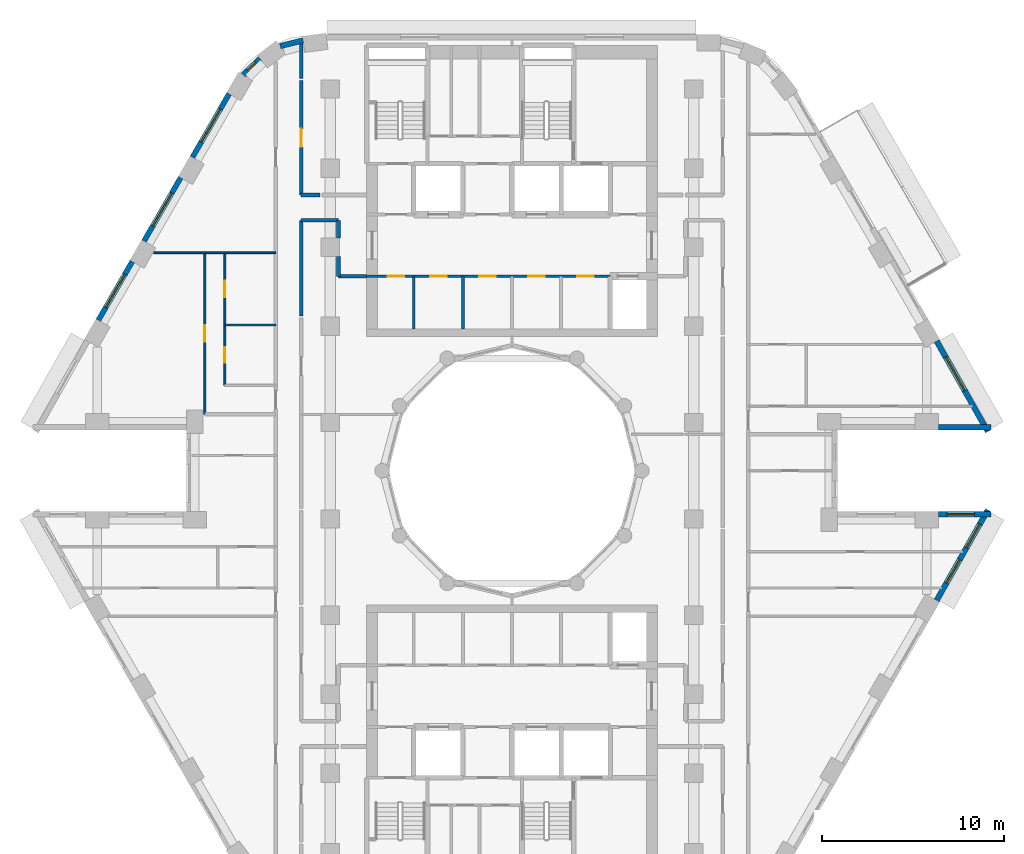
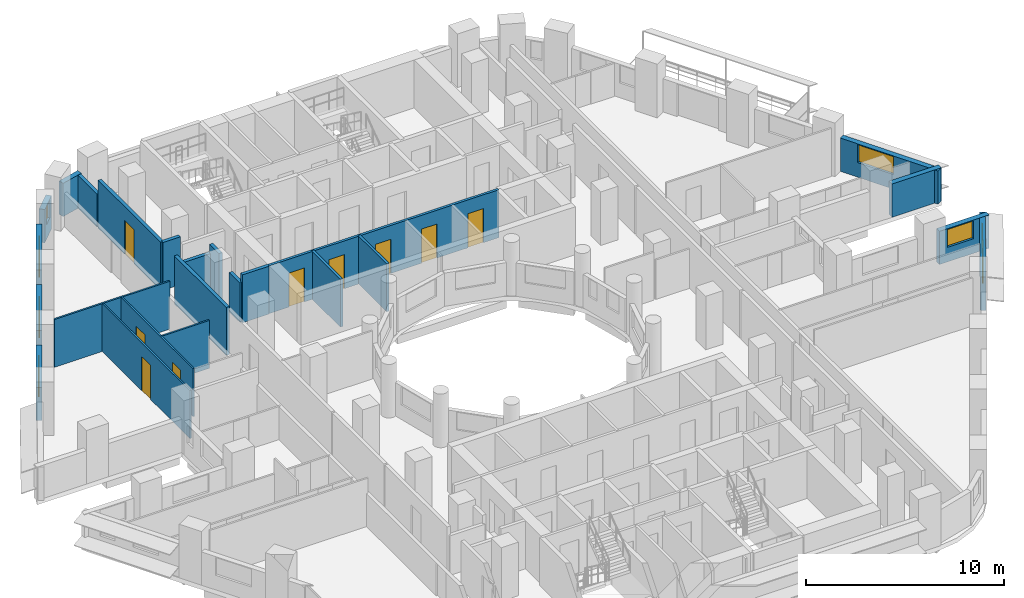
# One storey, part 7 of 14: 24 walls, 9 doors, 8 windows, 17 openings.
"""IFC4 building model written with IfcOpenShell, lengths in metres."""

from ifc_helpers import new_model, si_unit, direction, frame, frame_2d, origin, place, context, subcontext, project, spatial, rectangle, extrude, material, layer, layer_set, type_object, element, fill, save


model = new_model("IFC4")

# Units and contexts
model_context = context("Model", 3, precision=1e-05, world=origin(), true_north=direction((0.0, 1.0)))
body_context = subcontext(model_context, "Body", "Model", "MODEL_VIEW")
ifc_project = project(units=[si_unit("LENGTHUNIT", "METRE"), si_unit("AREAUNIT", "SQUARE_METRE"), si_unit("VOLUMEUNIT", "CUBIC_METRE"), si_unit("PLANEANGLEUNIT", "RADIAN"), si_unit("MASSUNIT", "GRAM", prefix="KILO")], contexts=[model_context])

# Site, building, storey
site_placement = place(None, origin())
site = spatial("IfcSite", under=ifc_project, at=site_placement, CompositionType="ELEMENT")
building_placement = place(site_placement, origin())
building = spatial("IfcBuilding", under=site, at=building_placement, Name="Nakaniwa Court", CompositionType="ELEMENT")
storey_placement = place(building_placement, frame((0.0, 0.0, 166.800048828125)))
storey = spatial("IfcBuildingStorey", under=building, at=storey_placement, Name="L44", CompositionType="ELEMENT", Elevation=166.800048828125)

# Walls
ifc_material_1 = material(Name="Acoustic double stud partition")
ifc_layer_1 = layer(ifc_material_1, 0.199951171875)
ifc_layer_set_1 = layer_set([ifc_layer_1], Name="Acoustic double stud partition")
wall_type_1 = type_object("IfcWallType", Name="Acoustic double stud partition 200", PredefinedType="PARTITIONING", material=ifc_layer_set_1)
wall_1_placement = place(storey_placement, frame((68.39990234375, 93.77490234375, 0.0), z_axis=(0.0, 0.0, 1.0), x_axis=(1.0, 0.0, 0.0)))
element("IfcWall", 1, at=wall_1_placement, inside=storey, type_object=wall_type_1, Name="Partition PW-094", PredefinedType="PARTITIONING", context=body_context, shape_type="SweptSolid", body=[
    extrude(rectangle(XDim=2.050048828125, YDim=0.199951171875, at=frame_2d((1.02490234375, 0.0))), origin(), (0.0, 0.0, 1.0), 2.429931640625),
])
wall_2_placement = place(storey_placement, frame((70.449951171875, 90.699951171875, 0.0), z_axis=(0.0, 0.0, 1.0), x_axis=(1.0, 0.0, 0.0)))
element("IfcWall", 2, at=wall_2_placement, inside=storey, type_object=wall_type_1, Name="Partition PW-096", PredefinedType="PARTITIONING", context=body_context, shape_type="SweptSolid", body=[
    extrude(rectangle(XDim=1.550048828125, YDim=0.199951171875, at=frame_2d((0.77490234375, 0.0))), origin(), (0.0, 0.0, 1.0), 2.949951171875),
])
wall_3_placement = place(storey_placement, frame((68.39990234375, 95.175048828125, 0.0), z_axis=(0.0, 0.0, 1.0), x_axis=(1.0, 0.0, 0.0)))
element("IfcWall", 3, at=wall_3_placement, inside=storey, type_object=wall_type_1, Name="Partition PW-098", PredefinedType="PARTITIONING", context=body_context, shape_type="SweptSolid", body=[
    extrude(rectangle(XDim=1.02294921875, YDim=0.199951171875, at=frame_2d((0.511474609375, 0.0))), origin(), (0.0, 0.0, 1.0), 2.949951171875),
])
wall_4_placement = place(storey_placement, frame((68.39990234375, 88.527099609375, 0.0), z_axis=(0.0, 0.0, 1.0), x_axis=(0.0, 1.0, 0.0)))
element("IfcWall", 4, at=wall_4_placement, inside=storey, type_object=wall_type_1, Name="Partition PW-107", PredefinedType="PARTITIONING", context=body_context, shape_type="SweptSolid", body=[
    extrude(rectangle(XDim=5.247802734375, YDim=0.199951171875, at=frame_2d((2.6240234375, 0.0))), origin(), (0.0, 0.0, 1.0), 2.949951171875),
])

# Wall, opening, door
wall_5_placement = place(storey_placement, frame((68.39990234375, 101.462890625, 0.0), z_axis=(0.0, 0.0, 1.0), x_axis=(0.0, -1.0, 0.0)))
wall_5 = element("IfcWall", 5, at=wall_5_placement, inside=storey, type_object=wall_type_1, Name="Partition PW-108", PredefinedType="PARTITIONING", context=body_context, shape_type="SweptSolid", body=[
    extrude(rectangle(XDim=6.287841796875, YDim=0.199951171875, at=frame_2d((3.14404296875, 0.0))), origin(), (0.0, 0.0, 1.0), 2.949951171875),
])
opening_1_placement = place(wall_5_placement, frame((2.64501953125, 0.0, 0.0)))
opening_1 = element("IfcOpeningElement", 6, at=opening_1_placement, cuts=wall_5, Name="Opening D-02-08", PredefinedType="OPENING", context=body_context, shape_type="SweptSolid", body=[
    extrude(rectangle(XDim=1.0, YDim=2.10009765625, at=frame_2d((0.5, 1.050048828125))), frame((0.0, 0.10986328125, 0.0), z_axis=(0.0, -1.0, 0.0), x_axis=(1.0, 0.0, 0.0)), (0.0, 0.0, 1.0), 0.219970703125),
])
ifc_material_2 = material(Name="Solid core timber door set, black veneer", Category="wood")
door_type_1 = type_object("IfcDoorType", Name="Internal door 1000", OperationType="NOTDEFINED", PredefinedType="DOOR", material=ifc_material_2)
door_1_placement = place(opening_1_placement, origin())
door_1 = element("IfcDoor", 7, at=door_1_placement, inside=storey, type_object=door_type_1, Name="Door D-02-08 L44-057", OperationType="SINGLE_SWING_RIGHT", OverallHeight=2.10009765625, OverallWidth=1.0, PredefinedType="DOOR", context=body_context, shape_type="SweptSolid", body=[
    extrude(rectangle(XDim=1.0, YDim=2.10009765625, at=frame_2d((0.5, 1.050048828125))), frame((0.0, 0.02490234375, 0.0), z_axis=(0.0, -1.0, 0.0), x_axis=(1.0, 0.0, 0.0)), (0.0, 0.0, 1.0), 0.050048828125),
])
fill(opening_1, door_1)

# Walls
wall_6_placement = place(storey_placement, frame((68.39990234375, 101.5771484375, 0.0), z_axis=(0.0, 0.0, 1.0), x_axis=(0.0, 1.0, 0.0)))
element("IfcWall", 8, at=wall_6_placement, inside=storey, type_object=wall_type_1, Name="Partition PW-109", PredefinedType="PARTITIONING", context=body_context, shape_type="SweptSolid", body=[
    extrude(rectangle(XDim=2.02197265625, YDim=0.199951171875, at=frame_2d((1.010986328125, 0.0))), origin(), (0.0, 0.0, 1.0), 2.030029296875),
])
wall_7_placement = place(storey_placement, frame((70.449951171875, 90.699951171875, 0.0), z_axis=(0.0, 0.0, 1.0), x_axis=(0.0, 1.0, 0.0)))
element("IfcWall", 9, at=wall_7_placement, inside=storey, type_object=wall_type_1, Name="Partition PW-113", PredefinedType="PARTITIONING", context=body_context, shape_type="SweptSolid", body=[
    extrude(rectangle(XDim=1.082763671875, YDim=0.199951171875, at=frame_2d((0.54150390625, 0.0))), origin(), (0.0, 0.0, 1.0), 2.429931640625),
])
wall_8_placement = place(storey_placement, frame((70.449951171875, 92.817138671875, 0.0), z_axis=(0.0, 0.0, 1.0), x_axis=(0.0, 1.0, 0.0)))
element("IfcWall", 10, at=wall_8_placement, inside=storey, type_object=wall_type_1, Name="Partition PW-114", PredefinedType="PARTITIONING", context=body_context, shape_type="SweptSolid", body=[
    extrude(rectangle(XDim=0.957763671875, YDim=0.199951171875, at=frame_2d((0.47900390625, 0.0))), origin(), (0.0, 0.0, 1.0), 2.949951171875),
])
ifc_material_3 = material(Name="Charcoal ceramic cladding")
ifc_layer_2 = layer(ifc_material_3, 0.02, Name="Ceramic cladding")
ifc_material_4 = material(Name="Ventilated air cavity")
ifc_layer_3 = layer(ifc_material_4, 0.04, ventilated=True, Name="Ventilated cavity")
ifc_material_5 = material(Name="Mineral wool insulation")
ifc_layer_4 = layer(ifc_material_5, 0.1, Name="Insulation")
ifc_material_6 = material(Name="Cement bonded sheathing board")
ifc_layer_5 = layer(ifc_material_6, 0.012, Name="Sheathing")
ifc_material_7 = material(Name="Cold-formed galvanised stud frame with mineral wool infill")
ifc_layer_6 = layer(ifc_material_7, 0.1, Name="Stud frame")
ifc_material_8 = material(Name="Fire-rated gypsum plasterboard lining")
ifc_layer_7 = layer(ifc_material_8, 0.028, Name="Lining")
ifc_layer_set_2 = layer_set([ifc_layer_2, ifc_layer_3, ifc_layer_4, ifc_layer_5, ifc_layer_6, ifc_layer_7], Name="Charcoal ceramic faced external wall system")
wall_type_2 = type_object("IfcWallType", Name="Black ceramic faced external wall 300", PredefinedType="SOLIDWALL", material=ifc_layer_set_2)
wall_9_placement = place(storey_placement, frame((103.468994140625, 82.39990234375, 0.0), z_axis=(0.0, 0.0, 1.0), x_axis=(1.0, 0.0, 0.0)))
element("IfcWall", 11, at=wall_9_placement, inside=storey, type_object=wall_type_2, Name="L44 external wall 01", PredefinedType="SOLIDWALL", context=body_context, shape_type="SweptSolid", body=[
    extrude(rectangle(XDim=2.8876953125, YDim=0.300048828125, at=frame_2d((1.44384765625, 0.0))), origin(), (0.0, 0.0, 1.0), 2.050048828125),
])

# Wall, opening, window
wall_10_placement = place(storey_placement, frame((106.18603515625, 82.1533203125, 0.0), z_axis=(0.0, 0.0, 1.0), x_axis=(-0.492498306264, 0.87031340236, 0.0)))
wall_10 = element("IfcWall", 12, at=wall_10_placement, inside=storey, type_object=wall_type_2, Name="L44 external wall 02", PredefinedType="SOLIDWALL", context=body_context, shape_type="SweptSolid", body=[
    extrude(rectangle(XDim=5.7265625, YDim=0.300048828125, at=frame_2d((2.86328125, 0.0))), origin(), (0.0, 0.0, 1.0), 2.050048828125),
])
opening_2_placement = place(wall_10_placement, frame((2.604248046875, 0.0, 0.89990234375)))
opening_2 = element("IfcOpeningElement", 13, at=opening_2_placement, cuts=wall_10, Name="Opening W7.01", PredefinedType="OPENING", context=body_context, shape_type="SweptSolid", body=[
    extrude(rectangle(XDim=2.10009765625, YDim=1.10009765625, at=frame_2d((1.050048828125, 0.550048828125))), frame((0.0, 0.159912109375, 0.0), z_axis=(0.0, -1.0, 0.0), x_axis=(1.0, 0.0, 0.0)), (0.0, 0.0, 1.0), 0.320068359375),
])
ifc_material_9 = material(Name="Black anodised aluminium frame with dark low-E laminated double glazing", Category="aluminium")
window_type_1 = type_object("IfcWindowType", Name="Dark glass window 2100x1100 sill 900", PartitioningType="SINGLE_PANEL", PredefinedType="WINDOW", material=ifc_material_9)
window_1_placement = place(opening_2_placement, origin())
window_1 = element("IfcWindow", 14, at=window_1_placement, inside=storey, type_object=window_type_1, Name="L44 habitable room window 02-1", OverallHeight=1.10009765625, OverallWidth=2.10009765625, PartitioningType="SINGLE_PANEL", PredefinedType="WINDOW", context=body_context, shape_type="SweptSolid", body=[
    extrude(rectangle(XDim=2.10009765625, YDim=1.10009765625, at=frame_2d((1.050048828125, 0.550048828125))), frame((0.0, 0.030029296875, 0.0), z_axis=(0.0, -1.0, 0.0), x_axis=(1.0, 0.0, 0.0)), (0.0, 0.0, 1.0), 0.06005859375),
])
fill(opening_2, window_1)

# Wall
wall_11_placement = place(storey_placement, frame((68.506103515625, 103.68310546875, 0.0), z_axis=(0.0, 0.0, 1.0), x_axis=(-0.96924493129, -0.246098076322, 0.0)))
element("IfcWall", 15, at=wall_11_placement, inside=storey, type_object=wall_type_2, Name="L44 external wall 09", PredefinedType="SOLIDWALL", context=body_context, shape_type="SweptSolid", body=[
    extrude(rectangle(XDim=1.305419921875, YDim=0.300048828125, at=frame_2d((0.65283203125, 0.0))), origin(), (0.0, 0.0, 1.0), 2.050048828125),
])

# Wall, opening, window
wall_12_placement = place(storey_placement, frame((66.12890625, 102.68798828125, 0.0), z_axis=(0.0, 0.0, 1.0), x_axis=(-0.70881270082, -0.705396735997, 0.0)))
wall_12 = element("IfcWall", 16, at=wall_12_placement, inside=storey, type_object=wall_type_2, Name="L44 external wall 10", PredefinedType="SOLIDWALL", context=body_context, shape_type="SweptSolid", body=[
    extrude(rectangle(XDim=1.286376953125, YDim=0.300048828125, at=frame_2d((0.64306640625, 0.0))), origin(), (0.0, 0.0, 1.0), 2.050048828125),
])
opening_3_placement = place(wall_12_placement, frame((0.3330078125, 0.0, 0.89990234375)))
opening_3 = element("IfcOpeningElement", 17, at=opening_3_placement, cuts=wall_12, Name="Opening W8.08", PredefinedType="OPENING", context=body_context, shape_type="SweptSolid", body=[
    extrude(rectangle(XDim=0.60009765625, YDim=1.10009765625, at=frame_2d((0.300048828125, 0.550048828125))), frame((0.0, 0.159912109375, 0.0), z_axis=(0.0, -1.0, 0.0), x_axis=(1.0, 0.0, 0.0)), (0.0, 0.0, 1.0), 0.320068359375),
])
window_type_2 = type_object("IfcWindowType", Name="Dark glass window 600x1100 sill 900", PartitioningType="SINGLE_PANEL", PredefinedType="WINDOW", material=ifc_material_9)
window_2_placement = place(opening_3_placement, origin())
window_2 = element("IfcWindow", 18, at=window_2_placement, inside=storey, type_object=window_type_2, Name="L44 habitable room window 10-0", OverallHeight=1.10009765625, OverallWidth=0.60009765625, PartitioningType="SINGLE_PANEL", PredefinedType="WINDOW", context=body_context, shape_type="SweptSolid", body=[
    extrude(rectangle(XDim=0.60009765625, YDim=1.10009765625, at=frame_2d((0.300048828125, 0.550048828125))), frame((0.0, 0.030029296875, 0.0), z_axis=(0.0, -1.0, 0.0), x_axis=(1.0, 0.0, 0.0)), (0.0, 0.0, 1.0), 0.06005859375),
])
fill(opening_3, window_2)

wall_13_placement = place(storey_placement, frame((64.434814453125, 100.739990234375, 0.0), z_axis=(0.0, 0.0, 1.0), x_axis=(-0.500031546601, -0.86600718958, 0.0)))
wall_13 = element("IfcWall", 19, at=wall_13_placement, inside=storey, type_object=wall_type_2, Name="L44 external wall 11", PredefinedType="SOLIDWALL", context=body_context, shape_type="SweptSolid", body=[
    extrude(rectangle(XDim=4.033935546875, YDim=0.300048828125, at=frame_2d((2.01708984375, 0.0))), origin(), (0.0, 0.0, 1.0), 2.050048828125),
])
opening_4_placement = place(wall_13_placement, frame((0.967041015625, 0.0, 0.89990234375)))
opening_4 = element("IfcOpeningElement", 20, at=opening_4_placement, cuts=wall_13, Name="Opening W7.09", PredefinedType="OPENING", context=body_context, shape_type="SweptSolid", body=[
    extrude(rectangle(XDim=2.10009765625, YDim=1.10009765625, at=frame_2d((1.050048828125, 0.550048828125))), frame((0.0, 0.159912109375, 0.0), z_axis=(0.0, -1.0, 0.0), x_axis=(1.0, 0.0, 0.0)), (0.0, 0.0, 1.0), 0.320068359375),
])
window_3_placement = place(opening_4_placement, origin())
window_3 = element("IfcWindow", 21, at=window_3_placement, inside=storey, type_object=window_type_1, Name="L44 habitable room window 11-0", OverallHeight=1.10009765625, OverallWidth=2.10009765625, PartitioningType="SINGLE_PANEL", PredefinedType="WINDOW", context=body_context, shape_type="SweptSolid", body=[
    extrude(rectangle(XDim=2.10009765625, YDim=1.10009765625, at=frame_2d((1.050048828125, 0.550048828125))), frame((0.0, 0.030029296875, 0.0), z_axis=(0.0, -1.0, 0.0), x_axis=(1.0, 0.0, 0.0)), (0.0, 0.0, 1.0), 0.06005859375),
])
fill(opening_4, window_3)

wall_14_placement = place(storey_placement, frame((61.771728515625, 96.127685546875, 0.0), z_axis=(0.0, 0.0, 1.0), x_axis=(-0.500031546601, -0.86600718958, 0.0)))
wall_14 = element("IfcWall", 22, at=wall_14_placement, inside=storey, type_object=wall_type_2, Name="L44 external wall 12", PredefinedType="SOLIDWALL", context=body_context, shape_type="SweptSolid", body=[
    extrude(rectangle(XDim=4.033935546875, YDim=0.300048828125, at=frame_2d((2.01708984375, 0.0))), origin(), (0.0, 0.0, 1.0), 2.050048828125),
])
opening_5_placement = place(wall_14_placement, frame((0.966796875, 0.0, 0.89990234375)))
opening_5 = element("IfcOpeningElement", 23, at=opening_5_placement, cuts=wall_14, Name="Opening W7.10", PredefinedType="OPENING", context=body_context, shape_type="SweptSolid", body=[
    extrude(rectangle(XDim=2.10009765625, YDim=1.10009765625, at=frame_2d((1.050048828125, 0.550048828125))), frame((0.0, 0.159912109375, 0.0), z_axis=(0.0, -1.0, 0.0), x_axis=(1.0, 0.0, 0.0)), (0.0, 0.0, 1.0), 0.320068359375),
])
window_4_placement = place(opening_5_placement, origin())
window_4 = element("IfcWindow", 24, at=window_4_placement, inside=storey, type_object=window_type_1, Name="L44 habitable room window 12-0", OverallHeight=1.10009765625, OverallWidth=2.10009765625, PartitioningType="SINGLE_PANEL", PredefinedType="WINDOW", context=body_context, shape_type="SweptSolid", body=[
    extrude(rectangle(XDim=2.10009765625, YDim=1.10009765625, at=frame_2d((1.050048828125, 0.550048828125))), frame((0.0, 0.030029296875, 0.0), z_axis=(0.0, -1.0, 0.0), x_axis=(1.0, 0.0, 0.0)), (0.0, 0.0, 1.0), 0.06005859375),
])
fill(opening_5, window_4)

wall_15_placement = place(storey_placement, frame((59.108642578125, 91.515380859375, 0.0), z_axis=(0.0, 0.0, 1.0), x_axis=(-0.499933594891, -0.866063739398, 0.0)))
wall_15 = element("IfcWall", 25, at=wall_15_placement, inside=storey, type_object=wall_type_2, Name="L44 external wall 13", PredefinedType="SOLIDWALL", context=body_context, shape_type="SweptSolid", body=[
    extrude(rectangle(XDim=3.73681640625, YDim=0.300048828125, at=frame_2d((1.868408203125, 0.0))), origin(), (0.0, 0.0, 1.0), 2.050048828125),
])
opening_6_placement = place(wall_15_placement, frame((0.818359375, 0.0, 0.89990234375)))
opening_6 = element("IfcOpeningElement", 26, at=opening_6_placement, cuts=wall_15, Name="Opening W7.11", PredefinedType="OPENING", context=body_context, shape_type="SweptSolid", body=[
    extrude(rectangle(XDim=2.10009765625, YDim=1.10009765625, at=frame_2d((1.050048828125, 0.550048828125))), frame((0.0, 0.159912109375, 0.0), z_axis=(0.0, -1.0, 0.0), x_axis=(1.0, 0.0, 0.0)), (0.0, 0.0, 1.0), 0.320068359375),
])
window_5_placement = place(opening_6_placement, origin())
window_5 = element("IfcWindow", 27, at=window_5_placement, inside=storey, type_object=window_type_1, Name="L44 living window 13-0", OverallHeight=1.10009765625, OverallWidth=2.10009765625, PartitioningType="SINGLE_PANEL", PredefinedType="WINDOW", context=body_context, shape_type="SweptSolid", body=[
    extrude(rectangle(XDim=2.10009765625, YDim=1.10009765625, at=frame_2d((1.050048828125, 0.550048828125))), frame((0.0, 0.030029296875, 0.0), z_axis=(0.0, -1.0, 0.0), x_axis=(1.0, 0.0, 0.0)), (0.0, 0.0, 1.0), 0.06005859375),
])
fill(opening_6, window_5)

# Wall, openings, windows
wall_16_placement = place(storey_placement, frame((103.36572265625, 72.86279296875, 0.0), z_axis=(0.0, 0.0, 1.0), x_axis=(0.492498306264, 0.87031340236, 0.0)))
wall_16 = element("IfcWall", 28, at=wall_16_placement, inside=storey, type_object=wall_type_2, Name="L44 external wall 32", PredefinedType="SOLIDWALL", context=body_context, shape_type="SweptSolid", body=[
    extrude(rectangle(XDim=5.7265625, YDim=0.300048828125, at=frame_2d((2.86328125, 0.0))), origin(), (0.0, 0.0, 1.0), 2.050048828125),
])
opening_7_placement = place(wall_16_placement, frame((1.093017578125, 0.0, 0.89990234375)))
opening_7 = element("IfcOpeningElement", 29, at=opening_7_placement, cuts=wall_16, Name="Opening W5.29", PredefinedType="OPENING", context=body_context, shape_type="SweptSolid", body=[
    extrude(rectangle(XDim=1.5, YDim=1.10009765625, at=frame_2d((0.75, 0.550048828125))), frame((0.0, 0.159912109375, 0.0), z_axis=(0.0, -1.0, 0.0), x_axis=(1.0, 0.0, 0.0)), (0.0, 0.0, 1.0), 0.320068359375),
])
opening_8_placement = place(wall_16_placement, frame((3.333740234375, 0.0, 0.89990234375)))
opening_8 = element("IfcOpeningElement", 30, at=opening_8_placement, cuts=wall_16, Name="Opening W5.30", PredefinedType="OPENING", context=body_context, shape_type="SweptSolid", body=[
    extrude(rectangle(XDim=1.5, YDim=1.10009765625, at=frame_2d((0.75, 0.550048828125))), frame((0.0, 0.159912109375, 0.0), z_axis=(0.0, -1.0, 0.0), x_axis=(1.0, 0.0, 0.0)), (0.0, 0.0, 1.0), 0.320068359375),
])
window_type_3 = type_object("IfcWindowType", Name="Dark glass window 1500x1100 sill 900", PartitioningType="SINGLE_PANEL", PredefinedType="WINDOW", material=ifc_material_9)
window_6_placement = place(opening_7_placement, origin())
window_6 = element("IfcWindow", 31, at=window_6_placement, inside=storey, type_object=window_type_3, Name="L44 habitable room window 32-1", OverallHeight=1.10009765625, OverallWidth=1.5, PartitioningType="SINGLE_PANEL", PredefinedType="WINDOW", context=body_context, shape_type="SweptSolid", body=[
    extrude(rectangle(XDim=1.5, YDim=1.10009765625, at=frame_2d((0.75, 0.550048828125))), frame((0.0, 0.030029296875, 0.0), z_axis=(0.0, -1.0, 0.0), x_axis=(1.0, 0.0, 0.0)), (0.0, 0.0, 1.0), 0.06005859375),
])
fill(opening_7, window_6)
window_7_placement = place(opening_8_placement, origin())
window_7 = element("IfcWindow", 32, at=window_7_placement, inside=storey, type_object=window_type_3, Name="L44 living window 32-2", OverallHeight=1.10009765625, OverallWidth=1.5, PartitioningType="SINGLE_PANEL", PredefinedType="WINDOW", context=body_context, shape_type="SweptSolid", body=[
    extrude(rectangle(XDim=1.5, YDim=1.10009765625, at=frame_2d((0.75, 0.550048828125))), frame((0.0, 0.030029296875, 0.0), z_axis=(0.0, -1.0, 0.0), x_axis=(1.0, 0.0, 0.0)), (0.0, 0.0, 1.0), 0.06005859375),
])
fill(opening_8, window_7)

# Wall, opening, window
wall_17_placement = place(storey_placement, frame((106.356689453125, 77.60009765625, 0.0), z_axis=(0.0, 0.0, 1.0), x_axis=(-1.0, 0.0, 0.0)))
wall_17 = element("IfcWall", 33, at=wall_17_placement, inside=storey, type_object=wall_type_2, Name="L44 external wall 33", PredefinedType="SOLIDWALL", context=body_context, shape_type="SweptSolid", body=[
    extrude(rectangle(XDim=2.8876953125, YDim=0.300048828125, at=frame_2d((1.44384765625, 0.0))), origin(), (0.0, 0.0, 1.0), 2.050048828125),
])
opening_9_placement = place(wall_17_placement, frame((0.9189453125, 0.0, 0.89990234375)))
opening_9 = element("IfcOpeningElement", 34, at=opening_9_placement, cuts=wall_17, Name="Opening W5.31", PredefinedType="OPENING", context=body_context, shape_type="SweptSolid", body=[
    extrude(rectangle(XDim=1.5, YDim=1.10009765625, at=frame_2d((0.75, 0.550048828125))), frame((0.0, 0.159912109375, 0.0), z_axis=(0.0, -1.0, 0.0), x_axis=(1.0, 0.0, 0.0)), (0.0, 0.0, 1.0), 0.320068359375),
])
window_8_placement = place(opening_9_placement, origin())
window_8 = element("IfcWindow", 35, at=window_8_placement, inside=storey, type_object=window_type_3, Name="L44 living window 33-0", OverallHeight=1.10009765625, OverallWidth=1.5, PartitioningType="SINGLE_PANEL", PredefinedType="WINDOW", context=body_context, shape_type="SweptSolid", body=[
    extrude(rectangle(XDim=1.5, YDim=1.10009765625, at=frame_2d((0.75, 0.550048828125))), frame((0.0, 0.030029296875, 0.0), z_axis=(0.0, -1.0, 0.0), x_axis=(1.0, 0.0, 0.0)), (0.0, 0.0, 1.0), 0.06005859375),
])
fill(opening_9, window_8)

# Wall
ifc_material_10 = material(Name="Blockwork partition", Category="masonry")
ifc_layer_8 = layer(ifc_material_10, 0.14990234375)
ifc_layer_set_3 = layer_set([ifc_layer_8], Name="Blockwork partition")
wall_type_3 = type_object("IfcWallType", Name="Blockwork partition 150", PredefinedType="PARTITIONING", material=ifc_layer_set_3)
wall_18_placement = place(storey_placement, frame((74.60009765625, 87.800048828125, 0.0), z_axis=(0.0, 0.0, 1.0), x_axis=(0.0, 1.0, 0.0)))
element("IfcWall", 36, at=wall_18_placement, inside=storey, type_object=wall_type_3, Name="Partition PW-001", PredefinedType="PARTITIONING", context=body_context, shape_type="SweptSolid", body=[
    extrude(rectangle(XDim=2.89990234375, YDim=0.14990234375, at=frame_2d((1.449951171875, 0.0))), origin(), (0.0, 0.0, 1.0), 2.949951171875),
])

# Wall, openings, doors
wall_19_placement = place(storey_placement, frame((85.39990234375, 90.699951171875, 0.0), z_axis=(0.0, 0.0, 1.0), x_axis=(-1.0, 0.0, 0.0)))
wall_19 = element("IfcWall", 37, at=wall_19_placement, inside=storey, type_object=wall_type_3, Name="Partition PW-002", PredefinedType="PARTITIONING", context=body_context, shape_type="SweptSolid", body=[
    extrude(rectangle(XDim=13.39990234375, YDim=0.14990234375, at=frame_2d((6.699951171875, 0.0))), origin(), (0.0, 0.0, 1.0), 2.949951171875),
])
opening_10_placement = place(wall_19_placement, frame((11.324951171875, 0.0, 0.0)))
opening_10 = element("IfcOpeningElement", 38, at=opening_10_placement, cuts=wall_19, Name="Opening D-05-01", PredefinedType="OPENING", context=body_context, shape_type="SweptSolid", body=[
    extrude(rectangle(XDim=0.89990234375, YDim=2.10009765625, at=frame_2d((0.449951171875, 1.050048828125))), frame((0.0, 0.0849609375, 0.0), z_axis=(0.0, -1.0, 0.0), x_axis=(1.0, 0.0, 0.0)), (0.0, 0.0, 1.0), 0.169921875),
])
opening_11_placement = place(wall_19_placement, frame((9.0, 0.0, 0.0)))
opening_11 = element("IfcOpeningElement", 39, at=opening_11_placement, cuts=wall_19, Name="Opening D-05-02", PredefinedType="OPENING", context=body_context, shape_type="SweptSolid", body=[
    extrude(rectangle(XDim=0.89990234375, YDim=2.10009765625, at=frame_2d((0.449951171875, 1.050048828125))), frame((0.0, 0.0849609375, 0.0), z_axis=(0.0, -1.0, 0.0), x_axis=(1.0, 0.0, 0.0)), (0.0, 0.0, 1.0), 0.169921875),
])
opening_12_placement = place(wall_19_placement, frame((6.300048828125, 0.0, 0.0)))
opening_12 = element("IfcOpeningElement", 40, at=opening_12_placement, cuts=wall_19, Name="Opening D-05-03", PredefinedType="OPENING", context=body_context, shape_type="SweptSolid", body=[
    extrude(rectangle(XDim=0.89990234375, YDim=2.10009765625, at=frame_2d((0.449951171875, 1.050048828125))), frame((0.0, 0.0849609375, 0.0), z_axis=(0.0, -1.0, 0.0), x_axis=(1.0, 0.0, 0.0)), (0.0, 0.0, 1.0), 0.169921875),
])
opening_13_placement = place(wall_19_placement, frame((3.60009765625, 0.0, 0.0)))
opening_13 = element("IfcOpeningElement", 41, at=opening_13_placement, cuts=wall_19, Name="Opening D-05-04", PredefinedType="OPENING", context=body_context, shape_type="SweptSolid", body=[
    extrude(rectangle(XDim=0.89990234375, YDim=2.10009765625, at=frame_2d((0.449951171875, 1.050048828125))), frame((0.0, 0.0849609375, 0.0), z_axis=(0.0, -1.0, 0.0), x_axis=(1.0, 0.0, 0.0)), (0.0, 0.0, 1.0), 0.169921875),
])
opening_14_placement = place(wall_19_placement, frame((0.89990234375, 0.0, 0.0)))
opening_14 = element("IfcOpeningElement", 42, at=opening_14_placement, cuts=wall_19, Name="Opening D-05-05", PredefinedType="OPENING", context=body_context, shape_type="SweptSolid", body=[
    extrude(rectangle(XDim=0.89990234375, YDim=2.10009765625, at=frame_2d((0.449951171875, 1.050048828125))), frame((0.0, 0.0849609375, 0.0), z_axis=(0.0, -1.0, 0.0), x_axis=(1.0, 0.0, 0.0)), (0.0, 0.0, 1.0), 0.169921875),
])
ifc_material_11 = material(Name="Fire rated steel door set", Category="steel")
door_type_2 = type_object("IfcDoorType", Name="Service room door 900", OperationType="NOTDEFINED", PredefinedType="DOOR", material=ifc_material_11)
door_2_placement = place(opening_10_placement, origin())
door_2 = element("IfcDoor", 43, at=door_2_placement, inside=storey, type_object=door_type_2, Name="Door D-05-01 L44-001", OperationType="SINGLE_SWING_RIGHT", OverallHeight=2.10009765625, OverallWidth=0.89990234375, PredefinedType="DOOR", context=body_context, shape_type="SweptSolid", body=[
    extrude(rectangle(XDim=0.89990234375, YDim=2.10009765625, at=frame_2d((0.449951171875, 1.050048828125))), frame((0.0, 0.02490234375, 0.0), z_axis=(0.0, -1.0, 0.0), x_axis=(1.0, 0.0, 0.0)), (0.0, 0.0, 1.0), 0.050048828125),
])
fill(opening_10, door_2)
door_3_placement = place(opening_11_placement, origin())
door_3 = element("IfcDoor", 44, at=door_3_placement, inside=storey, type_object=door_type_2, Name="Door D-05-02 L44-002", OperationType="SINGLE_SWING_LEFT", OverallHeight=2.10009765625, OverallWidth=0.89990234375, PredefinedType="DOOR", context=body_context, shape_type="SweptSolid", body=[
    extrude(rectangle(XDim=0.89990234375, YDim=2.10009765625, at=frame_2d((0.449951171875, 1.050048828125))), frame((0.0, 0.02490234375, 0.0), z_axis=(0.0, -1.0, 0.0), x_axis=(1.0, 0.0, 0.0)), (0.0, 0.0, 1.0), 0.050048828125),
])
fill(opening_11, door_3)
door_4_placement = place(opening_12_placement, origin())
door_4 = element("IfcDoor", 45, at=door_4_placement, inside=storey, type_object=door_type_2, Name="Door D-05-03 L44-003", OperationType="SINGLE_SWING_RIGHT", OverallHeight=2.10009765625, OverallWidth=0.89990234375, PredefinedType="DOOR", context=body_context, shape_type="SweptSolid", body=[
    extrude(rectangle(XDim=0.89990234375, YDim=2.10009765625, at=frame_2d((0.449951171875, 1.050048828125))), frame((0.0, 0.02490234375, 0.0), z_axis=(0.0, -1.0, 0.0), x_axis=(1.0, 0.0, 0.0)), (0.0, 0.0, 1.0), 0.050048828125),
])
fill(opening_12, door_4)
door_5_placement = place(opening_13_placement, origin())
door_5 = element("IfcDoor", 46, at=door_5_placement, inside=storey, type_object=door_type_2, Name="Door D-05-04 L44-004", OperationType="SINGLE_SWING_LEFT", OverallHeight=2.10009765625, OverallWidth=0.89990234375, PredefinedType="DOOR", context=body_context, shape_type="SweptSolid", body=[
    extrude(rectangle(XDim=0.89990234375, YDim=2.10009765625, at=frame_2d((0.449951171875, 1.050048828125))), frame((0.0, 0.02490234375, 0.0), z_axis=(0.0, -1.0, 0.0), x_axis=(1.0, 0.0, 0.0)), (0.0, 0.0, 1.0), 0.050048828125),
])
fill(opening_13, door_5)
door_6_placement = place(opening_14_placement, origin())
door_6 = element("IfcDoor", 47, at=door_6_placement, inside=storey, type_object=door_type_2, Name="Door D-05-05 L44-005", OperationType="SINGLE_SWING_RIGHT", OverallHeight=2.10009765625, OverallWidth=0.89990234375, PredefinedType="DOOR", context=body_context, shape_type="SweptSolid", body=[
    extrude(rectangle(XDim=0.89990234375, YDim=2.10009765625, at=frame_2d((0.449951171875, 1.050048828125))), frame((0.0, 0.02490234375, 0.0), z_axis=(0.0, -1.0, 0.0), x_axis=(1.0, 0.0, 0.0)), (0.0, 0.0, 1.0), 0.050048828125),
])
fill(opening_14, door_6)

# Walls
wall_20_placement = place(storey_placement, frame((77.300048828125, 87.800048828125, 0.0), z_axis=(0.0, 0.0, 1.0), x_axis=(0.0, 1.0, 0.0)))
element("IfcWall", 48, at=wall_20_placement, inside=storey, type_object=wall_type_3, Name="Partition PW-008", PredefinedType="PARTITIONING", context=body_context, shape_type="SweptSolid", body=[
    extrude(rectangle(XDim=2.89990234375, YDim=0.14990234375, at=frame_2d((1.449951171875, 0.0))), origin(), (0.0, 0.0, 1.0), 2.949951171875),
])
ifc_material_12 = material(Name="Single stud plasterboard partition")
ifc_layer_9 = layer(ifc_material_12, 0.10009765625)
ifc_layer_set_4 = layer_set([ifc_layer_9], Name="Single stud plasterboard partition")
wall_type_4 = type_object("IfcWallType", Name="Single stud plasterboard partition 100", PredefinedType="PARTITIONING", material=ifc_layer_set_4)
wall_21_placement = place(storey_placement, frame((64.198974609375, 88.01806640625, 0.0), z_axis=(0.0, 0.0, 1.0), x_axis=(1.0, 0.0, 0.0)))
element("IfcWall", 49, at=wall_21_placement, inside=storey, type_object=wall_type_4, Name="Partition PW-138", PredefinedType="PARTITIONING", context=body_context, shape_type="SweptSolid", body=[
    extrude(rectangle(XDim=2.800048828125, YDim=0.10009765625, at=frame_2d((1.39990234375, 0.0))), origin(), (0.0, 0.0, 1.0), 2.949951171875),
])

# Wall, openings, doors
wall_22_placement = place(storey_placement, frame((64.198974609375, 92.0, 0.0), z_axis=(0.0, 0.0, 1.0), x_axis=(0.0, -1.0, 0.0)))
wall_22 = element("IfcWall", 50, at=wall_22_placement, inside=storey, type_object=wall_type_4, Name="Partition PW-139", PredefinedType="PARTITIONING", context=body_context, shape_type="SweptSolid", body=[
    extrude(rectangle(XDim=7.300048828125, YDim=0.10009765625, at=frame_2d((3.64990234375, 0.0))), origin(), (0.0, 0.0, 1.0), 2.949951171875),
])
opening_15_placement = place(wall_22_placement, frame((5.216064453125, 0.0, 0.0)))
opening_15 = element("IfcOpeningElement", 51, at=opening_15_placement, cuts=wall_22, Name="Opening D-03-01", PredefinedType="OPENING", context=body_context, shape_type="SweptSolid", body=[
    extrude(rectangle(XDim=0.85009765625, YDim=2.10009765625, at=frame_2d((0.425048828125, 1.050048828125))), frame((0.0, 0.06005859375, 0.0), z_axis=(0.0, -1.0, 0.0), x_axis=(1.0, 0.0, 0.0)), (0.0, 0.0, 1.0), 0.1201171875),
])
opening_16_placement = place(wall_22_placement, frame((1.541015625, 0.0, 0.0)))
opening_16 = element("IfcOpeningElement", 52, at=opening_16_placement, cuts=wall_22, Name="Opening D-33-02", PredefinedType="OPENING", context=body_context, shape_type="SweptSolid", body=[
    extrude(rectangle(XDim=0.89990234375, YDim=2.10009765625, at=frame_2d((0.449951171875, 1.050048828125))), frame((0.0, 0.06005859375, 0.0), z_axis=(0.0, -1.0, 0.0), x_axis=(1.0, 0.0, 0.0)), (0.0, 0.0, 1.0), 0.1201171875),
])
ifc_material_13 = material(Name="Moisture sealed timber door set", Category="wood")
door_type_3 = type_object("IfcDoorType", Name="Bathroom door 850", OperationType="NOTDEFINED", PredefinedType="DOOR", material=ifc_material_13)
door_7_placement = place(opening_15_placement, origin())
door_7 = element("IfcDoor", 53, at=door_7_placement, inside=storey, type_object=door_type_3, Name="Door D-03-01 L44-050", OperationType="SINGLE_SWING_LEFT", OverallHeight=2.10009765625, OverallWidth=0.85009765625, PredefinedType="DOOR", context=body_context, shape_type="SweptSolid", body=[
    extrude(rectangle(XDim=0.85009765625, YDim=2.10009765625, at=frame_2d((0.425048828125, 1.050048828125))), frame((0.0, 0.02490234375, 0.0), z_axis=(0.0, -1.0, 0.0), x_axis=(1.0, 0.0, 0.0)), (0.0, 0.0, 1.0), 0.050048828125),
])
fill(opening_15, door_7)
door_type_4 = type_object("IfcDoorType", Name="Internal door 900", OperationType="NOTDEFINED", PredefinedType="DOOR", material=ifc_material_2)
door_8_placement = place(opening_16_placement, origin())
door_8 = element("IfcDoor", 54, at=door_8_placement, inside=storey, type_object=door_type_4, Name="Door D-33-02 L44-051", OperationType="SINGLE_SWING_RIGHT", OverallHeight=2.10009765625, OverallWidth=0.89990234375, PredefinedType="DOOR", context=body_context, shape_type="SweptSolid", body=[
    extrude(rectangle(XDim=0.89990234375, YDim=2.10009765625, at=frame_2d((0.449951171875, 1.050048828125))), frame((0.0, 0.02490234375, 0.0), z_axis=(0.0, -1.0, 0.0), x_axis=(1.0, 0.0, 0.0)), (0.0, 0.0, 1.0), 0.050048828125),
])
fill(opening_16, door_8)

# Wall
wall_23_placement = place(storey_placement, frame((60.27783203125, 92.0, 0.0), z_axis=(0.0, 0.0, 1.0), x_axis=(1.0, 0.0, 0.0)))
element("IfcWall", 55, at=wall_23_placement, inside=storey, type_object=wall_type_4, Name="Partition PW-141", PredefinedType="PARTITIONING", context=body_context, shape_type="SweptSolid", body=[
    extrude(rectangle(XDim=6.72119140625, YDim=0.10009765625, at=frame_2d((3.360595703125, 0.0))), origin(), (0.0, 0.0, 1.0), 2.949951171875),
])

# Wall, opening, door
wall_24_placement = place(storey_placement, frame((63.09912109375, 83.10009765625, 0.0), z_axis=(0.0, 0.0, 1.0), x_axis=(0.0, 1.0, 0.0)))
wall_24 = element("IfcWall", 56, at=wall_24_placement, inside=storey, type_object=wall_type_4, Name="Partition PW-142", PredefinedType="PARTITIONING", context=body_context, shape_type="SweptSolid", body=[
    extrude(rectangle(XDim=8.89990234375, YDim=0.10009765625, at=frame_2d((4.449951171875, 0.0))), origin(), (0.0, 0.0, 1.0), 2.949951171875),
])
opening_17_placement = place(wall_24_placement, frame((4.0, 0.0, 0.0)))
opening_17 = element("IfcOpeningElement", 57, at=opening_17_placement, cuts=wall_24, Name="Opening D-33-03", PredefinedType="OPENING", context=body_context, shape_type="SweptSolid", body=[
    extrude(rectangle(XDim=0.89990234375, YDim=2.10009765625, at=frame_2d((0.449951171875, 1.050048828125))), frame((0.0, 0.06005859375, 0.0), z_axis=(0.0, -1.0, 0.0), x_axis=(1.0, 0.0, 0.0)), (0.0, 0.0, 1.0), 0.1201171875),
])
door_9_placement = place(opening_17_placement, origin())
door_9 = element("IfcDoor", 58, at=door_9_placement, inside=storey, type_object=door_type_4, Name="Door D-33-03 L44-052", OperationType="SINGLE_SWING_LEFT", OverallHeight=2.10009765625, OverallWidth=0.89990234375, PredefinedType="DOOR", context=body_context, shape_type="SweptSolid", body=[
    extrude(rectangle(XDim=0.89990234375, YDim=2.10009765625, at=frame_2d((0.449951171875, 1.050048828125))), frame((0.0, 0.02490234375, 0.0), z_axis=(0.0, -1.0, 0.0), x_axis=(1.0, 0.0, 0.0)), (0.0, 0.0, 1.0), 0.050048828125),
])
fill(opening_17, door_9)

save(model, "model.ifc")
